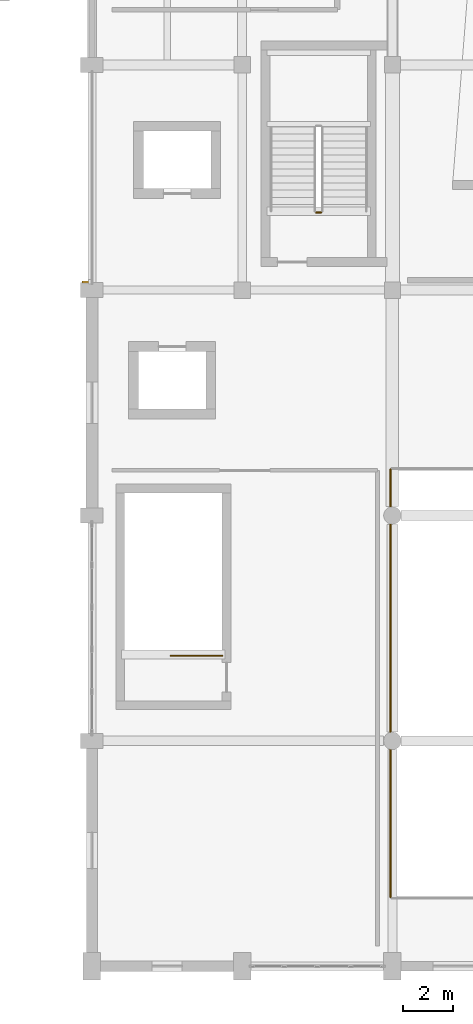
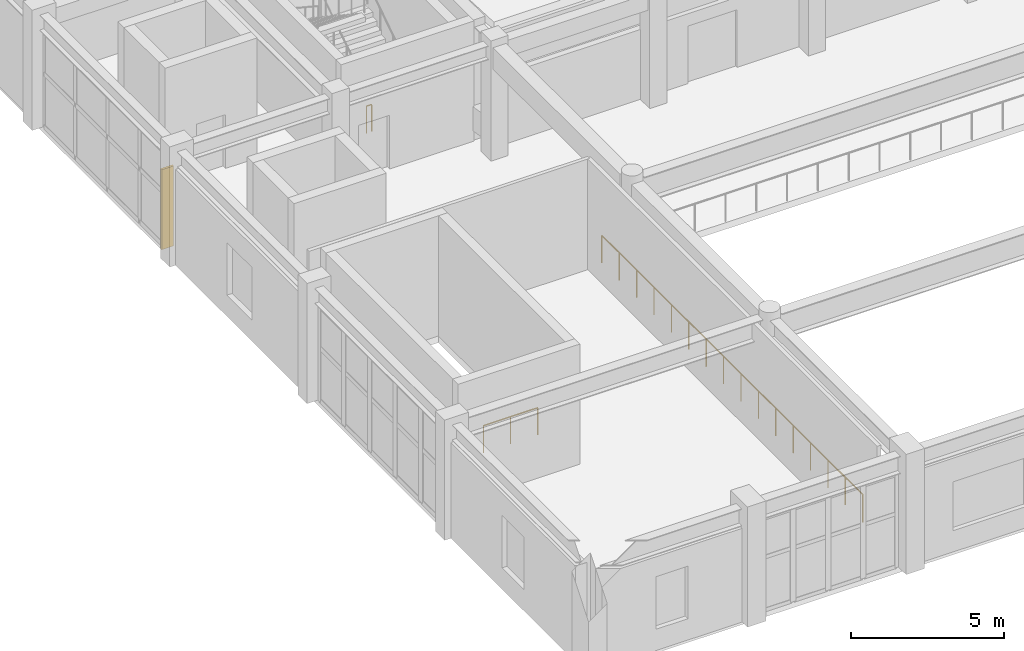
# One storey, part 68 of 80: 3 railings, 1 shading device.
"""IFC4 building model written with IfcOpenShell, lengths in metres."""

from ifc_helpers import new_model, si_unit, direction, frame, origin, origin_2d, place, context, subcontext, project, spatial, rectangle, circle, extrude, material, type_object, element, save


model = new_model("IFC4")

# Units and contexts
model_context = context("Model", 3, precision=1e-05, world=origin(), true_north=direction((0.0, 1.0)))
body_context = subcontext(model_context, "Body", "Model", "MODEL_VIEW")
ifc_project = project(units=[si_unit("LENGTHUNIT", "METRE"), si_unit("AREAUNIT", "SQUARE_METRE"), si_unit("VOLUMEUNIT", "CUBIC_METRE"), si_unit("PLANEANGLEUNIT", "RADIAN"), si_unit("MASSUNIT", "GRAM", prefix="KILO")], contexts=[model_context])

# Site, building, storey
site_placement = place(None, origin())
site = spatial("IfcSite", under=ifc_project, at=site_placement, CompositionType="ELEMENT")
building_placement = place(site_placement, origin())
building = spatial("IfcBuilding", under=site, at=building_placement, Name="Vaelkrest Opera House", CompositionType="ELEMENT")
storey_placement = place(building_placement, frame((0.0, 0.0, 15.0)))
storey = spatial("IfcBuildingStorey", under=building, at=storey_placement, Name="L03", CompositionType="ELEMENT", Elevation=15.0)

# Railing
ifc_material = material(Name="Dark bronze anodized aluminium", Category="aluminium")
railing_type_1 = type_object("IfcRailingType", Name="BL01", PredefinedType="BALUSTRADE", material=ifc_material)
railing_1_placement = place(storey_placement, frame((-18.080078125, -35.9599609375, 0.0)))
element("IfcRailing", 1, at=railing_1_placement, inside=storey, type_object=railing_type_1, Name="Atrium/stage void guard V1 L03-2 seg 4", PredefinedType="BALUSTRADE", context=body_context, shape_type="SweptSolid", body=[
    extrude(circle(Radius=0.02392578125, at=origin_2d()), frame((0.0, 0.0, 1.09619140625), z_axis=(0.0, -1.0, 0.0), x_axis=(1.0, 0.0, 0.0)), (0.0, 0.0, 1.0), 17.080078125),
    extrude(circle(Radius=0.02099609375, at=origin_2d()), origin(), (0.0, 0.0, 1.0), 1.072021484375),
    extrude(circle(Radius=0.02099609375, at=origin_2d()), frame((0.0, -1.138671875, 0.0)), (0.0, 0.0, 1.0), 1.072021484375),
    extrude(circle(Radius=0.02099609375, at=origin_2d()), frame((0.0, -2.27734375, 0.0)), (0.0, 0.0, 1.0), 1.072021484375),
    extrude(circle(Radius=0.02099609375, at=origin_2d()), frame((0.0, -3.416015625, 0.0)), (0.0, 0.0, 1.0), 1.072021484375),
    extrude(circle(Radius=0.02099609375, at=origin_2d()), frame((0.0, -4.5546875, 0.0)), (0.0, 0.0, 1.0), 1.072021484375),
    extrude(circle(Radius=0.02099609375, at=origin_2d()), frame((0.0, -5.693359375, 0.0)), (0.0, 0.0, 1.0), 1.072021484375),
    extrude(circle(Radius=0.02099609375, at=origin_2d()), frame((0.0, -6.83203125, 0.0)), (0.0, 0.0, 1.0), 1.072021484375),
    extrude(circle(Radius=0.02099609375, at=origin_2d()), frame((0.0, -7.970703125, 0.0)), (0.0, 0.0, 1.0), 1.072021484375),
    extrude(circle(Radius=0.02099609375, at=origin_2d()), frame((0.0, -9.109375, 0.0)), (0.0, 0.0, 1.0), 1.072021484375),
    extrude(circle(Radius=0.02099609375, at=origin_2d()), frame((0.0, -10.248046875, 0.0)), (0.0, 0.0, 1.0), 1.072021484375),
    extrude(circle(Radius=0.02099609375, at=origin_2d()), frame((0.0, -11.38671875, 0.0)), (0.0, 0.0, 1.0), 1.072021484375),
    extrude(circle(Radius=0.02099609375, at=origin_2d()), frame((0.0, -12.525390625, 0.0)), (0.0, 0.0, 1.0), 1.072021484375),
    extrude(circle(Radius=0.02099609375, at=origin_2d()), frame((0.0, -13.6640625, 0.0)), (0.0, 0.0, 1.0), 1.072021484375),
    extrude(circle(Radius=0.02099609375, at=origin_2d()), frame((0.0, -14.802734375, 0.0)), (0.0, 0.0, 1.0), 1.072021484375),
    extrude(circle(Radius=0.02099609375, at=origin_2d()), frame((0.0, -15.94140625, 0.0)), (0.0, 0.0, 1.0), 1.072021484375),
    extrude(circle(Radius=0.02099609375, at=origin_2d()), frame((0.0, -17.080078125, 0.0)), (0.0, 0.0, 1.0), 1.072021484375),
])

# Shading device
shading_device_type = type_object("IfcShadingDeviceType", Name="FIN01", PredefinedType="USERDEFINED", material=ifc_material)
shading_device_placement = place(storey_placement, frame((-30.179931640625, -28.467041015625, 0.31494140625), z_axis=(0.0, 0.0, 1.0), x_axis=(-1.0, 0.0, 0.0)))
element("IfcShadingDevice", 2, at=shading_device_placement, inside=storey, type_object=shading_device_type, Name="Bronze vertical facade fin 05", ObjectType="FIN", PredefinedType="USERDEFINED", context=body_context, shape_type="SweptSolid", body=[
    extrude(rectangle(XDim=0.449951171875, YDim=0.080078125, at=origin_2d()), origin(), (0.0, 0.0, 1.0), 3.199951171875),
])

# Railings
railing_type_2 = type_object("IfcRailingType", Name="GR02", PredefinedType="GUARDRAIL", material=ifc_material)
railing_2_placement = place(storey_placement, frame((-20.85009765625, -25.699951171875, 0.0)))
element("IfcRailing", 3, at=railing_2_placement, inside=storey, type_object=railing_type_2, Name="L03 ST01 stair guard 4", PredefinedType="GUARDRAIL", context=body_context, shape_type="SweptSolid", body=[
    extrude(circle(Radius=0.02392578125, at=origin_2d()), frame((0.0, 0.0, 1.076171875), z_axis=(-1.0, 0.0, 0.0), x_axis=(0.0, -1.0, 0.0)), (0.0, 0.0, 1.0), 0.199951171875),
    extrude(circle(Radius=0.02099609375, at=origin_2d()), origin(), (0.0, 0.0, 1.0), 1.052001953125),
    extrude(circle(Radius=0.02099609375, at=origin_2d()), frame((-0.199951171875, 0.0, 0.0)), (0.0, 0.0, 1.0), 1.052001953125),
])
railing_3_placement = place(storey_placement, frame((-24.800048828125, -43.39990234375, 0.0)))
element("IfcRailing", 4, at=railing_3_placement, inside=storey, type_object=railing_type_2, Name="L03 ST03 top well guard 1", PredefinedType="GUARDRAIL", context=body_context, shape_type="SweptSolid", body=[
    extrude(circle(Radius=0.02392578125, at=origin_2d()), frame((0.0, 0.0, 1.076171875), z_axis=(-1.0, 0.0, 0.0), x_axis=(0.0, -1.0, 0.0)), (0.0, 0.0, 1.0), 2.050048828125),
    extrude(circle(Radius=0.02099609375, at=origin_2d()), origin(), (0.0, 0.0, 1.0), 1.052001953125),
    extrude(circle(Radius=0.02099609375, at=origin_2d()), frame((-1.02490234375, 0.0, 0.0)), (0.0, 0.0, 1.0), 1.052001953125),
    extrude(circle(Radius=0.02099609375, at=origin_2d()), frame((-2.050048828125, 0.0, 0.0)), (0.0, 0.0, 1.0), 1.052001953125),
])

save(model, "model.ifc")
